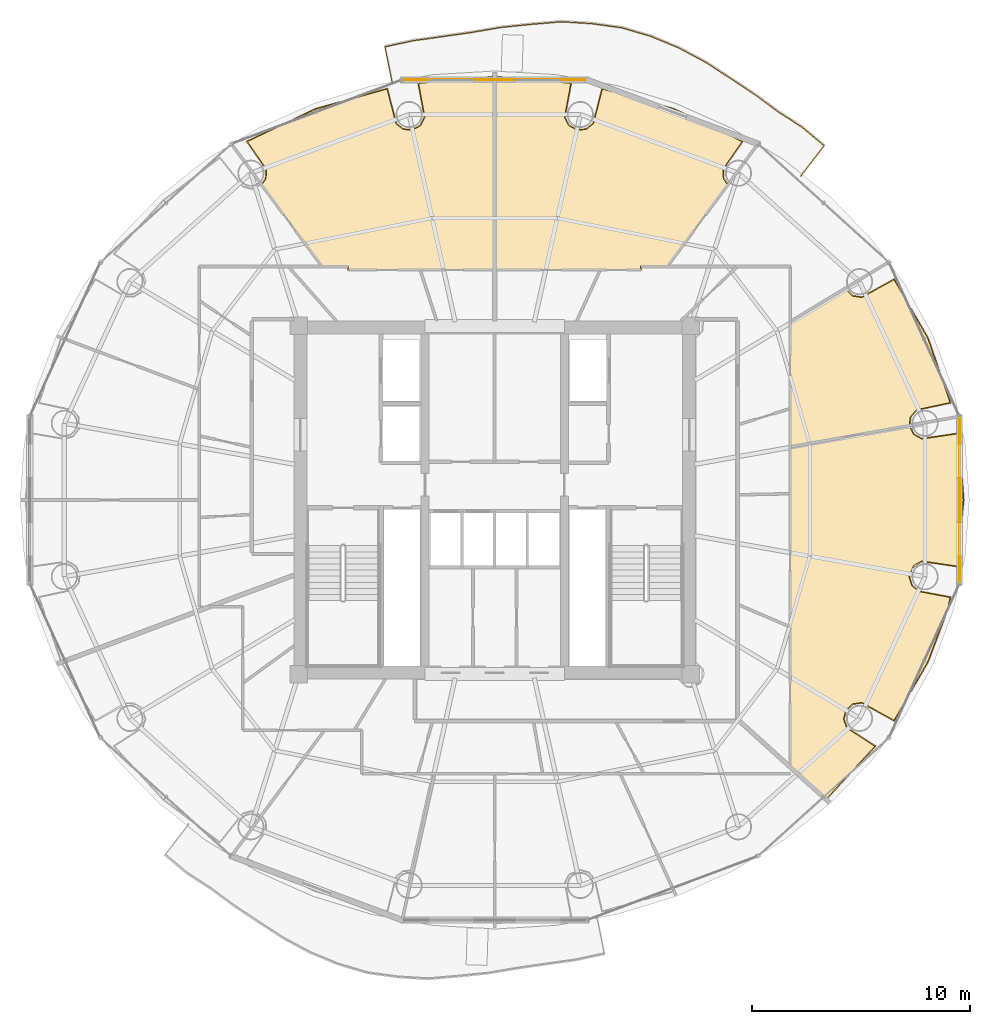
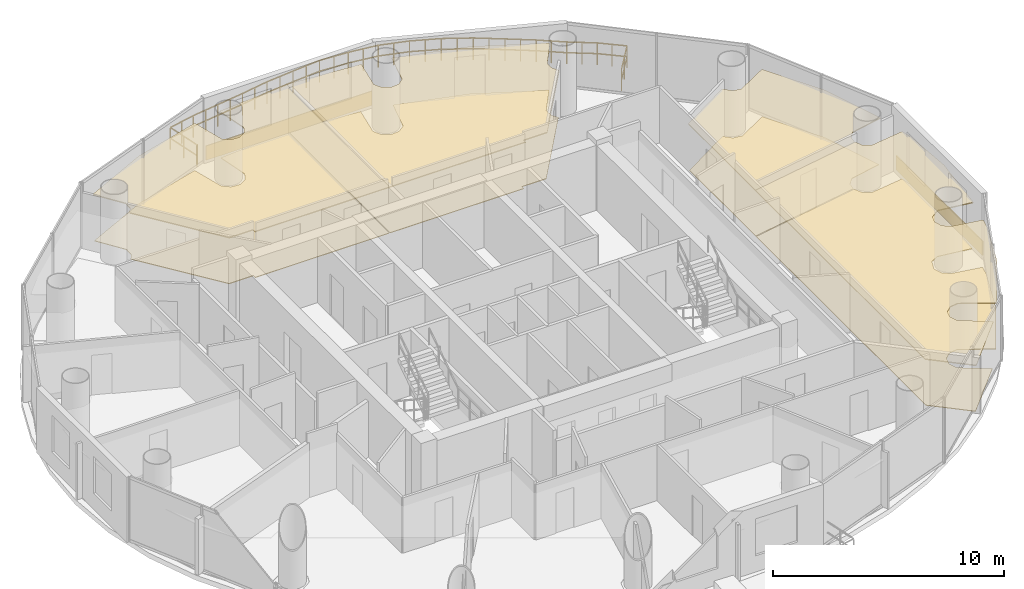
# One storey, part 26 of 26: 10 coverings, 1 railing.
"""IFC4 building model written with IfcOpenShell, lengths in metres."""

from ifc_helpers import new_model, si_unit, direction, frame, origin, origin_2d, place, context, subcontext, project, spatial, polyline, rectangle, outline, extrude, source, transform, mapped, material, layer, layer_set, type_object, element, save


model = new_model("IFC4")

# Units and contexts
model_context = context("Model", 3, precision=1e-05, world=origin(), true_north=direction((-0.2419218956, 0.970295726276)))
body_context = subcontext(model_context, "Body", "Model", "MODEL_VIEW")
ifc_project = project(units=[si_unit("LENGTHUNIT", "METRE"), si_unit("AREAUNIT", "SQUARE_METRE"), si_unit("VOLUMEUNIT", "CUBIC_METRE"), si_unit("PLANEANGLEUNIT", "RADIAN"), si_unit("MASSUNIT", "GRAM", prefix="KILO")], contexts=[model_context])

# Site, building, storey
site_placement = place(None, origin())
site = spatial("IfcSite", under=ifc_project, at=site_placement, CompositionType="ELEMENT")
building_placement = place(site_placement, origin())
building = spatial("IfcBuilding", under=site, at=building_placement, Name="Cobrevalo Terracotta Tower", CompositionType="ELEMENT")
storey_placement = place(building_placement, frame((0.0, 0.0, 206.0)))
storey = spatial("IfcBuildingStorey", under=building, at=storey_placement, Name="L54", CompositionType="ELEMENT", Elevation=206.0)

# Railing
ifc_material_1 = material(Name="Laminated structural glass and stainless steel", Category="steel")
railing_type = type_object("IfcRailingType", Name="Balcony lobe structural glass & terracotta-cap balustrade 1180 mm", PredefinedType="BALUSTRADE", material=ifc_material_1)
railing_placement = place(storey_placement, frame((52.06396484375, 41.68603515625, 0.0)))
element("IfcRailing", 1, at=railing_placement, inside=storey, type_object=railing_type, Name="L54 spiralling balcony lobe balustrade 1", PredefinedType="BALUSTRADE", context=body_context, shape_type="SweptSolid", body=[
    extrude(rectangle(XDim=0.048095703125, YDim=0.048095703125, at=origin_2d()), frame((0.0, 0.0, 1.15576171875), z_axis=(0.611093635826, 0.791558316394, 0.0), x_axis=(-0.791558316394, 0.611093635826, 0.0)), (0.0, 0.0, 1.0), 1.747802734375),
    extrude(rectangle(XDim=0.048095703125, YDim=0.048095703125, at=origin_2d()), frame((0.0, 0.0, 0.58984375), z_axis=(0.611093635826, 0.791558316394, 0.0), x_axis=(-0.791558316394, 0.611093635826, 0.0)), (0.0, 0.0, 1.0), 1.747802734375),
    extrude(rectangle(XDim=0.048095703125, YDim=0.048095703125, at=origin_2d()), frame((1.068115234375, 1.383544921875, 1.15576171875), z_axis=(-0.766425986371, 0.642332629885, 0.0), x_axis=(-0.642332629885, -0.766425986371, 0.0)), (0.0, 0.0, 1.0), 1.306396484375),
    extrude(rectangle(XDim=0.048095703125, YDim=0.048095703125, at=origin_2d()), frame((1.068115234375, 1.383544921875, 0.58984375), z_axis=(-0.766425986371, 0.642332629885, 0.0), x_axis=(-0.642332629885, -0.766425986371, 0.0)), (0.0, 0.0, 1.0), 1.306396484375),
    extrude(rectangle(XDim=0.048095703125, YDim=0.048095703125, at=origin_2d()), frame((0.06689453125, 2.22265625, 1.15576171875), z_axis=(-0.839098247149, 0.543979900026, 0.0), x_axis=(-0.543979900026, -0.839098247149, 0.0)), (0.0, 0.0, 1.0), 1.319580078125),
    extrude(rectangle(XDim=0.048095703125, YDim=0.048095703125, at=origin_2d()), frame((0.06689453125, 2.22265625, 0.58984375), z_axis=(-0.839098247149, 0.543979900026, 0.0), x_axis=(-0.543979900026, -0.839098247149, 0.0)), (0.0, 0.0, 1.0), 1.319580078125),
    extrude(rectangle(XDim=0.048095703125, YDim=0.048095703125, at=origin_2d()), frame((-1.040283203125, 2.9404296875, 1.15576171875), z_axis=(-0.804659544021, 0.59373648887, 0.0), x_axis=(-0.59373648887, -0.804659544021, 0.0)), (0.0, 0.0, 1.0), 1.332275390625),
    extrude(rectangle(XDim=0.048095703125, YDim=0.048095703125, at=origin_2d()), frame((-1.040283203125, 2.9404296875, 0.58984375), z_axis=(-0.804659544021, 0.59373648887, 0.0), x_axis=(-0.59373648887, -0.804659544021, 0.0)), (0.0, 0.0, 1.0), 1.332275390625),
    extrude(rectangle(XDim=0.048095703125, YDim=0.048095703125, at=origin_2d()), frame((-2.1123046875, 3.7314453125, 1.15576171875), z_axis=(-0.833770664475, 0.552110930032, 0.0), x_axis=(-0.552110930032, -0.833770664475, 0.0)), (0.0, 0.0, 1.0), 1.350341796875),
    extrude(rectangle(XDim=0.048095703125, YDim=0.048095703125, at=origin_2d()), frame((-2.1123046875, 3.7314453125, 0.58984375), z_axis=(-0.833770664475, 0.552110930032, 0.0), x_axis=(-0.552110930032, -0.833770664475, 0.0)), (0.0, 0.0, 1.0), 1.350341796875),
    extrude(rectangle(XDim=0.048095703125, YDim=0.048095703125, at=origin_2d()), frame((-3.23828125, 4.47705078125, 1.15576171875), z_axis=(-0.838256839671, 0.545275591554, 0.0), x_axis=(-0.545275591554, -0.838256839671, 0.0)), (0.0, 0.0, 1.0), 1.3740234375),
    extrude(rectangle(XDim=0.048095703125, YDim=0.048095703125, at=origin_2d()), frame((-3.23828125, 4.47705078125, 0.58984375), z_axis=(-0.838256839671, 0.545275591554, 0.0), x_axis=(-0.545275591554, -0.838256839671, 0.0)), (0.0, 0.0, 1.0), 1.3740234375),
    extrude(rectangle(XDim=0.048095703125, YDim=0.048095703125, at=origin_2d()), frame((-4.39013671875, 5.226318359375, 1.15576171875), z_axis=(-0.882044426144, 0.471166244874, 0.0), x_axis=(-0.471166244874, -0.882044426144, 0.0)), (0.0, 0.0, 1.0), 1.380859375),
    extrude(rectangle(XDim=0.048095703125, YDim=0.048095703125, at=origin_2d()), frame((-4.39013671875, 5.226318359375, 0.58984375), z_axis=(-0.882044426144, 0.471166244874, 0.0), x_axis=(-0.471166244874, -0.882044426144, 0.0)), (0.0, 0.0, 1.0), 1.380859375),
    extrude(rectangle(XDim=0.048095703125, YDim=0.048095703125, at=origin_2d()), frame((-5.608154296875, 5.876953125, 1.15576171875), z_axis=(-0.924247942635, 0.381792797909, 0.0), x_axis=(-0.381792797909, -0.924247942635, 0.0)), (0.0, 0.0, 1.0), 1.388916015625),
    extrude(rectangle(XDim=0.048095703125, YDim=0.048095703125, at=origin_2d()), frame((-5.608154296875, 5.876953125, 0.58984375), z_axis=(-0.924247942635, 0.381792797909, 0.0), x_axis=(-0.381792797909, -0.924247942635, 0.0)), (0.0, 0.0, 1.0), 1.388916015625),
    extrude(rectangle(XDim=0.048095703125, YDim=0.048095703125, at=origin_2d()), frame((-6.891845703125, 6.4072265625, 1.15576171875), z_axis=(-0.959009017041, 0.283375555109, 0.0), x_axis=(-0.283375555109, -0.959009017041, 0.0)), (0.0, 0.0, 1.0), 1.387939453125),
    extrude(rectangle(XDim=0.048095703125, YDim=0.048095703125, at=origin_2d()), frame((-6.891845703125, 6.4072265625, 0.58984375), z_axis=(-0.959009017041, 0.283375555109, 0.0), x_axis=(-0.283375555109, -0.959009017041, 0.0)), (0.0, 0.0, 1.0), 1.387939453125),
    extrude(rectangle(XDim=0.048095703125, YDim=0.048095703125, at=origin_2d()), frame((-8.222900390625, 6.800537109375, 1.15576171875), z_axis=(-0.990761893914, 0.135612940266, 0.0), x_axis=(-0.135612940266, -0.990761893914, 0.0)), (0.0, 0.0, 1.0), 1.395263671875),
    extrude(rectangle(XDim=0.048095703125, YDim=0.048095703125, at=origin_2d()), frame((-8.222900390625, 6.800537109375, 0.58984375), z_axis=(-0.990761893914, 0.135612940266, 0.0), x_axis=(-0.135612940266, -0.990761893914, 0.0)), (0.0, 0.0, 1.0), 1.395263671875),
    extrude(rectangle(XDim=0.048095703125, YDim=0.048095703125, at=origin_2d()), frame((-9.605224609375, 6.98974609375, 1.15576171875), z_axis=(-0.998000310049, 0.063209027378, 0.0), x_axis=(-0.063209027378, -0.998000310049, 0.0)), (0.0, 0.0, 1.0), 1.390380859375),
    extrude(rectangle(XDim=0.048095703125, YDim=0.048095703125, at=origin_2d()), frame((-9.605224609375, 6.98974609375, 0.58984375), z_axis=(-0.998000310049, 0.063209027378, 0.0), x_axis=(-0.063209027378, -0.998000310049, 0.0)), (0.0, 0.0, 1.0), 1.390380859375),
    extrude(rectangle(XDim=0.048095703125, YDim=0.048095703125, at=origin_2d()), frame((-10.992919921875, 7.07763671875, 1.15576171875), z_axis=(-0.996425820583, -0.084472386468, 0.0), x_axis=(0.084472386468, -0.996425820583, 0.0)), (0.0, 0.0, 1.0), 1.40185546875),
    extrude(rectangle(XDim=0.048095703125, YDim=0.048095703125, at=origin_2d()), frame((-10.992919921875, 7.07763671875, 0.58984375), z_axis=(-0.996425820583, -0.084472386468, 0.0), x_axis=(0.084472386468, -0.996425820583, 0.0)), (0.0, 0.0, 1.0), 1.40185546875),
    extrude(rectangle(XDim=0.048095703125, YDim=0.048095703125, at=origin_2d()), frame((-12.3896484375, 6.959228515625, 1.15576171875), z_axis=(-0.994853769318, -0.101321161034, 0.0), x_axis=(0.101321161034, -0.994853769318, 0.0)), (0.0, 0.0, 1.0), 1.383056640625),
    extrude(rectangle(XDim=0.048095703125, YDim=0.048095703125, at=origin_2d()), frame((-12.3896484375, 6.959228515625, 0.58984375), z_axis=(-0.994853769318, -0.101321161034, 0.0), x_axis=(0.101321161034, -0.994853769318, 0.0)), (0.0, 0.0, 1.0), 1.383056640625),
    extrude(rectangle(XDim=0.048095703125, YDim=0.048095703125, at=origin_2d()), frame((-13.765625, 6.819091796875, 1.15576171875), z_axis=(-0.985826173408, -0.167769949107, 0.0), x_axis=(0.167769949107, -0.985826173408, 0.0)), (0.0, 0.0, 1.0), 1.373779296875),
    extrude(rectangle(XDim=0.048095703125, YDim=0.048095703125, at=origin_2d()), frame((-13.765625, 6.819091796875, 0.58984375), z_axis=(-0.985826173408, -0.167769949107, 0.0), x_axis=(0.167769949107, -0.985826173408, 0.0)), (0.0, 0.0, 1.0), 1.373779296875),
    extrude(rectangle(XDim=0.048095703125, YDim=0.048095703125, at=origin_2d()), frame((-15.119873046875, 6.588623046875, 1.15576171875), z_axis=(-0.989772202625, -0.142656885256, 0.0), x_axis=(0.142656885256, -0.989772202625, 0.0)), (0.0, 0.0, 1.0), 1.35546875),
    extrude(rectangle(XDim=0.048095703125, YDim=0.048095703125, at=origin_2d()), frame((-15.119873046875, 6.588623046875, 0.58984375), z_axis=(-0.989772202625, -0.142656885256, 0.0), x_axis=(0.142656885256, -0.989772202625, 0.0)), (0.0, 0.0, 1.0), 1.35546875),
    extrude(rectangle(XDim=0.048095703125, YDim=0.048095703125, at=origin_2d()), frame((-16.46142578125, 6.395263671875, 1.15576171875), z_axis=(-0.990348729166, -0.138597960446, 0.0), x_axis=(0.138597960446, -0.990348729166, 0.0)), (0.0, 0.0, 1.0), 1.343994140625),
    extrude(rectangle(XDim=0.048095703125, YDim=0.048095703125, at=origin_2d()), frame((-16.46142578125, 6.395263671875, 0.58984375), z_axis=(-0.990348729166, -0.138597960446, 0.0), x_axis=(0.138597960446, -0.990348729166, 0.0)), (0.0, 0.0, 1.0), 1.343994140625),
    extrude(rectangle(XDim=0.048095703125, YDim=0.048095703125, at=origin_2d()), frame((-17.79248046875, 6.208984375, 1.15576171875), z_axis=(-0.97769326557, -0.210037802453, 0.0), x_axis=(0.210037802453, -0.97769326557, 0.0)), (0.0, 0.0, 1.0), 1.34375),
    extrude(rectangle(XDim=0.048095703125, YDim=0.048095703125, at=origin_2d()), frame((-17.79248046875, 6.208984375, 0.58984375), z_axis=(-0.97769326557, -0.210037802453, 0.0), x_axis=(0.210037802453, -0.97769326557, 0.0)), (0.0, 0.0, 1.0), 1.34375),
    extrude(rectangle(XDim=0.048095703125, YDim=0.048095703125, at=origin_2d()), frame((-19.106201171875, 5.9267578125, 1.15576171875), z_axis=(0.197141400655, -0.980375065038, 0.0), x_axis=(0.980375065038, 0.197141400655, 0.0)), (0.0, 0.0, 1.0), 1.739990234375),
    extrude(rectangle(XDim=0.048095703125, YDim=0.048095703125, at=origin_2d()), frame((-19.106201171875, 5.9267578125, 0.58984375), z_axis=(0.197141400655, -0.980375065038, 0.0), x_axis=(0.980375065038, 0.197141400655, 0.0)), (0.0, 0.0, 1.0), 1.739990234375),
    extrude(rectangle(XDim=0.0419921875, YDim=0.0419921875, at=origin_2d()), origin(), (0.0, 0.0, 1.0), 1.1318359375),
    extrude(rectangle(XDim=0.0419921875, YDim=0.0419921875, at=origin_2d()), frame((0.5341796875, 0.69189453125, 0.0)), (0.0, 0.0, 1.0), 1.1318359375),
    extrude(rectangle(XDim=0.0419921875, YDim=0.0419921875, at=origin_2d()), frame((1.068115234375, 1.383544921875, 0.0)), (0.0, 0.0, 1.0), 1.1318359375),
    extrude(rectangle(XDim=0.0419921875, YDim=0.0419921875, at=origin_2d()), frame((0.5673828125, 1.80322265625, 0.0)), (0.0, 0.0, 1.0), 1.1318359375),
    extrude(rectangle(XDim=0.0419921875, YDim=0.0419921875, at=origin_2d()), frame((0.06689453125, 2.22265625, 0.0)), (0.0, 0.0, 1.0), 1.1318359375),
    extrude(rectangle(XDim=0.0419921875, YDim=0.0419921875, at=origin_2d()), frame((-0.48681640625, 2.58154296875, 0.0)), (0.0, 0.0, 1.0), 1.1318359375),
    extrude(rectangle(XDim=0.0419921875, YDim=0.0419921875, at=origin_2d()), frame((-1.040283203125, 2.9404296875, 0.0)), (0.0, 0.0, 1.0), 1.1318359375),
    extrude(rectangle(XDim=0.0419921875, YDim=0.0419921875, at=origin_2d()), frame((-1.576171875, 3.3359375, 0.0)), (0.0, 0.0, 1.0), 1.1318359375),
    extrude(rectangle(XDim=0.0419921875, YDim=0.0419921875, at=origin_2d()), frame((-2.1123046875, 3.7314453125, 0.0)), (0.0, 0.0, 1.0), 1.1318359375),
    extrude(rectangle(XDim=0.0419921875, YDim=0.0419921875, at=origin_2d()), frame((-2.67529296875, 4.104248046875, 0.0)), (0.0, 0.0, 1.0), 1.1318359375),
    extrude(rectangle(XDim=0.0419921875, YDim=0.0419921875, at=origin_2d()), frame((-3.23828125, 4.47705078125, 0.0)), (0.0, 0.0, 1.0), 1.1318359375),
    extrude(rectangle(XDim=0.0419921875, YDim=0.0419921875, at=origin_2d()), frame((-3.814208984375, 4.8515625, 0.0)), (0.0, 0.0, 1.0), 1.1318359375),
    extrude(rectangle(XDim=0.0419921875, YDim=0.0419921875, at=origin_2d()), frame((-4.39013671875, 5.226318359375, 0.0)), (0.0, 0.0, 1.0), 1.1318359375),
    extrude(rectangle(XDim=0.0419921875, YDim=0.0419921875, at=origin_2d()), frame((-4.9990234375, 5.5517578125, 0.0)), (0.0, 0.0, 1.0), 1.1318359375),
    extrude(rectangle(XDim=0.0419921875, YDim=0.0419921875, at=origin_2d()), frame((-5.608154296875, 5.876953125, 0.0)), (0.0, 0.0, 1.0), 1.1318359375),
    extrude(rectangle(XDim=0.0419921875, YDim=0.0419921875, at=origin_2d()), frame((-6.25, 6.14208984375, 0.0)), (0.0, 0.0, 1.0), 1.1318359375),
    extrude(rectangle(XDim=0.0419921875, YDim=0.0419921875, at=origin_2d()), frame((-6.891845703125, 6.4072265625, 0.0)), (0.0, 0.0, 1.0), 1.1318359375),
    extrude(rectangle(XDim=0.0419921875, YDim=0.0419921875, at=origin_2d()), frame((-7.557373046875, 6.60400390625, 0.0)), (0.0, 0.0, 1.0), 1.1318359375),
    extrude(rectangle(XDim=0.0419921875, YDim=0.0419921875, at=origin_2d()), frame((-8.222900390625, 6.800537109375, 0.0)), (0.0, 0.0, 1.0), 1.1318359375),
    extrude(rectangle(XDim=0.0419921875, YDim=0.0419921875, at=origin_2d()), frame((-8.9140625, 6.89501953125, 0.0)), (0.0, 0.0, 1.0), 1.1318359375),
    extrude(rectangle(XDim=0.0419921875, YDim=0.0419921875, at=origin_2d()), frame((-9.605224609375, 6.98974609375, 0.0)), (0.0, 0.0, 1.0), 1.1318359375),
    extrude(rectangle(XDim=0.0419921875, YDim=0.0419921875, at=origin_2d()), frame((-10.299072265625, 7.03369140625, 0.0)), (0.0, 0.0, 1.0), 1.1318359375),
    extrude(rectangle(XDim=0.0419921875, YDim=0.0419921875, at=origin_2d()), frame((-10.992919921875, 7.07763671875, 0.0)), (0.0, 0.0, 1.0), 1.1318359375),
    extrude(rectangle(XDim=0.0419921875, YDim=0.0419921875, at=origin_2d()), frame((-11.69140625, 7.0185546875, 0.0)), (0.0, 0.0, 1.0), 1.1318359375),
    extrude(rectangle(XDim=0.0419921875, YDim=0.0419921875, at=origin_2d()), frame((-12.3896484375, 6.959228515625, 0.0)), (0.0, 0.0, 1.0), 1.1318359375),
    extrude(rectangle(XDim=0.0419921875, YDim=0.0419921875, at=origin_2d()), frame((-13.07763671875, 6.88916015625, 0.0)), (0.0, 0.0, 1.0), 1.1318359375),
    extrude(rectangle(XDim=0.0419921875, YDim=0.0419921875, at=origin_2d()), frame((-13.765625, 6.819091796875, 0.0)), (0.0, 0.0, 1.0), 1.1318359375),
    extrude(rectangle(XDim=0.0419921875, YDim=0.0419921875, at=origin_2d()), frame((-14.44287109375, 6.703857421875, 0.0)), (0.0, 0.0, 1.0), 1.1318359375),
    extrude(rectangle(XDim=0.0419921875, YDim=0.0419921875, at=origin_2d()), frame((-15.119873046875, 6.588623046875, 0.0)), (0.0, 0.0, 1.0), 1.1318359375),
    extrude(rectangle(XDim=0.0419921875, YDim=0.0419921875, at=origin_2d()), frame((-15.79052734375, 6.491943359375, 0.0)), (0.0, 0.0, 1.0), 1.1318359375),
    extrude(rectangle(XDim=0.0419921875, YDim=0.0419921875, at=origin_2d()), frame((-16.46142578125, 6.395263671875, 0.0)), (0.0, 0.0, 1.0), 1.1318359375),
    extrude(rectangle(XDim=0.0419921875, YDim=0.0419921875, at=origin_2d()), frame((-17.126953125, 6.30224609375, 0.0)), (0.0, 0.0, 1.0), 1.1318359375),
    extrude(rectangle(XDim=0.0419921875, YDim=0.0419921875, at=origin_2d()), frame((-17.79248046875, 6.208984375, 0.0)), (0.0, 0.0, 1.0), 1.1318359375),
    extrude(rectangle(XDim=0.0419921875, YDim=0.0419921875, at=origin_2d()), frame((-18.44921875, 6.06787109375, 0.0)), (0.0, 0.0, 1.0), 1.1318359375),
    extrude(rectangle(XDim=0.0419921875, YDim=0.0419921875, at=origin_2d()), frame((-19.106201171875, 5.9267578125, 0.0)), (0.0, 0.0, 1.0), 1.1318359375),
    extrude(rectangle(XDim=0.0419921875, YDim=0.0419921875, at=origin_2d()), frame((-18.9345703125, 5.07373046875, 0.0)), (0.0, 0.0, 1.0), 1.1318359375),
    extrude(rectangle(XDim=0.0419921875, YDim=0.0419921875, at=origin_2d()), frame((-18.76318359375, 4.220947265625, 0.0)), (0.0, 0.0, 1.0), 1.1318359375),
])

# Coverings
ifc_material_2 = material(Name="Engineered Brazilian hardwood flooring", Category="wood")
ifc_layer_1 = layer(ifc_material_2, 0.028076171875)
ifc_layer_set_1 = layer_set([ifc_layer_1], Name="Engineered Brazilian hardwood flooring")
covering_type_1 = type_object("IfcCoveringType", Name="Engineered Hardwood Suite Flooring 28", PredefinedType="FLOORING", material=ifc_layer_set_1)
covering_1_placement = place(storey_placement, origin())
element("IfcCovering", 2, at=covering_1_placement, inside=storey, type_object=covering_type_1, Name="Flat L54A Living and Dining Room floor finish", PredefinedType="FLOORING", context=body_context, shape_type="SweptSolid", body=[
    extrude(outline(polyline([(29.763916015625, 44.741455078125), (33.0517578125, 45.669921875), (33.462890625, 44.078369140625), (33.801025390625, 43.813232421875), (34.229248046875, 43.78076171875), (34.603759765625, 43.991455078125), (34.7978515625, 44.375), (34.509765625, 45.931640625), (37.97998046875, 46.21875), (37.97998046875, 37.385009765625), (31.294921875, 37.385009765625), (31.294921875, 37.544921875), (30.080078125, 37.544921875), (27.318603515625, 41.279541015625), (27.502685546875, 41.560546875), (27.522705078125, 41.98974609375), (26.6455078125, 43.259765625), (29.763916015625, 44.741455078125)])), origin(), (0.0, 0.0, 1.0), 0.030029296875),
])
covering_2_placement = place(storey_placement, origin())
element("IfcCovering", 3, at=covering_2_placement, inside=storey, type_object=covering_type_1, Name="Flat L54C Penthouse Living and Dining Room floor finish", PredefinedType="FLOORING", context=body_context, shape_type="SweptSolid", body=[
    extrude(outline(polyline([(57.03662109375, 30.20166015625), (57.229248046875, 29.80859375), (57.60400390625, 29.5986328125), (59.2265625, 29.83056640625), (59.3359375, 29.33447265625), (59.52001953125, 26.800048828125), (59.2265625, 23.76953125), (57.60400390625, 24.00146484375), (57.229248046875, 23.791259765625), (57.02294921875, 23.263916015625), (57.15576171875, 22.855224609375), (57.493408203125, 22.58935546875), (58.90771484375, 22.322998046875), (58.786865234375, 21.774169921875), (57.882080078125, 19.368896484375), (56.337890625, 16.6865234375), (54.8623046875, 17.504150390625), (54.437255859375, 17.44091796875), (54.119140625, 17.152099609375), (54.014892578125, 16.735107421875), (54.159912109375, 16.330810546875), (55.453125, 15.4912109375), (53.220947265625, 13.072265625), (51.594970703125, 14.54150390625), (51.594970703125, 29.223388671875), (57.03662109375, 30.20166015625)])), origin(), (0.0, 0.0, 1.0), 0.030029296875),
])
covering_3_placement = place(storey_placement, origin())
element("IfcCovering", 4, at=covering_3_placement, inside=storey, type_object=covering_type_1, Name="Flat L54C Master Bedroom floor finish", PredefinedType="FLOORING", context=body_context, shape_type="SweptSolid", body=[
    extrude(outline(polyline([(54.096435546875, 36.495849609375), (54.437255859375, 36.1591796875), (54.8623046875, 36.095947265625), (56.337890625, 36.91357421875), (57.882080078125, 34.23095703125), (58.90771484375, 31.277099609375), (57.364013671875, 30.94482421875), (57.0849609375, 30.6181640625), (57.0302734375, 30.240966796875), (51.594970703125, 29.26416015625), (51.594970703125, 34.9853515625), (54.096435546875, 36.495849609375)])), origin(), (0.0, 0.0, 1.0), 0.030029296875),
])
covering_4_placement = place(storey_placement, origin())
element("IfcCovering", 5, at=covering_4_placement, inside=storey, type_object=covering_type_1, Name="Flat L54C Penthouse Family Lounge floor finish", PredefinedType="FLOORING", context=body_context, shape_type="SweptSolid", body=[
    extrude(outline(polyline([(44.705078125, 37.385009765625), (38.02001953125, 37.385009765625), (38.02001953125, 46.21875), (41.490234375, 45.931640625), (41.2021484375, 44.375), (41.396240234375, 43.991455078125), (41.770751953125, 43.78076171875), (42.198974609375, 43.813232421875), (42.537109375, 44.078369140625), (42.9482421875, 45.669921875), (46.236083984375, 44.741455078125), (49.3544921875, 43.259765625), (48.477294921875, 41.98974609375), (48.497314453125, 41.560546875), (48.681396484375, 41.279541015625), (45.919921875, 37.544921875), (44.705078125, 37.544921875), (44.705078125, 37.385009765625)])), origin(), (0.0, 0.0, 1.0), 0.030029296875),
])
ifc_material_3 = material(Name="Acoustic perforated gypsum ceiling", Category="gypsum")
ifc_layer_2 = layer(ifc_material_3, 0.050048828125)
ifc_layer_set_2 = layer_set([ifc_layer_2], Name="Acoustic perforated gypsum ceiling")
covering_type_2 = type_object("IfcCoveringType", Name="Perforated Acoustic Gypsum Ceiling 50", PredefinedType="CEILING", material=ifc_layer_set_2)
covering_5_placement = place(storey_placement, frame((0.0, 0.0, 2.445068359375)))
element("IfcCovering", 6, at=covering_5_placement, inside=storey, type_object=covering_type_2, Name="Flat L54A Living and Dining Room acoustic ceiling", PredefinedType="CEILING", context=body_context, shape_type="SweptSolid", body=[
    extrude(outline(polyline([(29.748291015625, 44.78369140625), (33.08642578125, 45.7216796875), (33.499755859375, 44.1044921875), (33.8173828125, 43.85546875), (34.219482421875, 43.82470703125), (34.571044921875, 44.02294921875), (34.753173828125, 44.3828125), (34.455810546875, 45.967529296875), (38.02490234375, 46.2666015625), (38.02490234375, 37.340087890625), (31.25, 37.340087890625), (31.25, 37.5), (30.057373046875, 37.5), (27.25830078125, 41.285400390625), (27.460205078125, 41.57568359375), (27.478759765625, 41.978759765625), (26.579833984375, 43.272705078125), (29.748291015625, 44.78369140625)])), origin(), (0.0, 0.0, 1.0), 0.050048828125),
])
covering_6_placement = place(storey_placement, frame((0.0, 0.0, 2.445068359375)))
element("IfcCovering", 7, at=covering_6_placement, inside=storey, type_object=covering_type_2, Name="Flat L54C Penthouse Living and Dining Room acoustic ceiling", PredefinedType="CEILING", context=body_context, shape_type="SweptSolid", body=[
    extrude(outline(polyline([(57.0703125, 30.25341796875), (57.26171875, 29.83984375), (57.613525390625, 29.642578125), (59.26123046875, 29.88232421875), (59.380615234375, 29.341064453125), (59.565185546875, 26.800048828125), (59.26123046875, 23.717529296875), (57.613525390625, 23.957275390625), (57.177490234375, 23.653076171875), (57.068115234375, 23.2646484375), (57.19287109375, 22.881103515625), (57.509765625, 22.63134765625), (58.961669921875, 22.359130859375), (58.830078125, 21.761474609375), (57.923095703125, 19.35009765625), (56.349853515625, 16.626953125), (54.855712890625, 17.45947265625), (54.45654296875, 17.39990234375), (54.157958984375, 17.12890625), (54.06005859375, 16.737548828125), (54.1962890625, 16.357666015625), (55.518798828125, 15.50439453125), (53.22314453125, 13.009765625), (51.550048828125, 14.521484375), (51.550048828125, 29.260986328125), (57.0703125, 30.25341796875)])), origin(), (0.0, 0.0, 1.0), 0.050048828125),
])
covering_7_placement = place(storey_placement, frame((0.0, 0.0, 2.445068359375)))
element("IfcCovering", 8, at=covering_7_placement, inside=storey, type_object=covering_type_2, Name="Flat L54C Master Bedroom acoustic ceiling", PredefinedType="CEILING", context=body_context, shape_type="SweptSolid", body=[
    extrude(outline(polyline([(54.115966796875, 36.56005859375), (54.45654296875, 36.199951171875), (54.855712890625, 36.140625), (56.349853515625, 36.97314453125), (57.923095703125, 34.249755859375), (58.961669921875, 31.240966796875), (57.388427734375, 30.90673828125), (57.126220703125, 30.60009765625), (57.078369140625, 30.203857421875), (51.550048828125, 29.210205078125), (51.550048828125, 35.010986328125), (54.115966796875, 36.56005859375)])), origin(), (0.0, 0.0, 1.0), 0.050048828125),
])
covering_8_placement = place(storey_placement, frame((0.0, 0.0, 2.445068359375)))
element("IfcCovering", 9, at=covering_8_placement, inside=storey, type_object=covering_type_2, Name="Flat L54C Penthouse Family Lounge acoustic ceiling", PredefinedType="CEILING", context=body_context, shape_type="SweptSolid", body=[
    extrude(outline(polyline([(44.75, 37.340087890625), (37.97509765625, 37.340087890625), (37.97509765625, 46.2666015625), (41.544189453125, 45.967529296875), (41.246826171875, 44.3828125), (41.428955078125, 44.02294921875), (41.780517578125, 43.82470703125), (42.1826171875, 43.85546875), (42.500244140625, 44.1044921875), (42.91357421875, 45.7216796875), (46.251708984375, 44.78369140625), (49.420166015625, 43.272705078125), (48.521240234375, 41.978759765625), (48.539794921875, 41.57568359375), (48.74169921875, 41.285400390625), (45.942626953125, 37.5), (44.75, 37.5), (44.75, 37.340087890625)])), origin(), (0.0, 0.0, 1.0), 0.050048828125),
])
ifc_material_4 = material(Name="Glazed terracotta facade cladding tile", Category="masonry")
ifc_layer_3 = layer(ifc_material_4, 0.044921875)
ifc_layer_set_3 = layer_set([ifc_layer_3], Name="Glazed terracotta facade cladding tile")
covering_type_3 = type_object("IfcCoveringType", Name="Architectural terracotta rainscreen spandrel cladding 45 mm", PredefinedType="CLADDING", material=ifc_layer_set_3)
shared_shape_1 = source(origin(), body_context, "Body", "SweptSolid", [
    extrude(rectangle(XDim=8.294189453125, YDim=0.044921875, at=origin_2d()), origin(), (0.0, 0.0, 1.0), 0.760009765625),
])
covering_9_placement = place(storey_placement, frame((38.0, 46.092041015625, 0.0400390625), z_axis=(0.0, 0.0, 1.0), x_axis=(-1.0, 0.0, 0.0)))
element("IfcCovering", 10, at=covering_9_placement, inside=storey, type_object=covering_type_3, Name="L54 terracotta spandrel cladding S04", PredefinedType="CLADDING", context=body_context, shape_type="MappedRepresentation", body=[
    mapped(shared_shape_1, transform((0.0, 0.0, 0.0), scale=1.0)),
])
shared_shape_2 = source(origin(), body_context, "Body", "SweptSolid", [
    extrude(rectangle(XDim=7.474853515625, YDim=0.044921875, at=origin_2d()), origin(), (0.0, 0.0, 1.0), 0.760009765625),
])
covering_10_placement = place(storey_placement, frame((59.351806640625, 26.800048828125, 0.0400390625), z_axis=(0.0, 0.0, 1.0), x_axis=(0.0, 1.0, 0.0)))
element("IfcCovering", 11, at=covering_10_placement, inside=storey, type_object=covering_type_3, Name="L54 terracotta spandrel cladding S16", PredefinedType="CLADDING", context=body_context, shape_type="MappedRepresentation", body=[
    mapped(shared_shape_2, transform((0.0, 0.0, 0.0), scale=1.0)),
])

save(model, "model.ifc")
